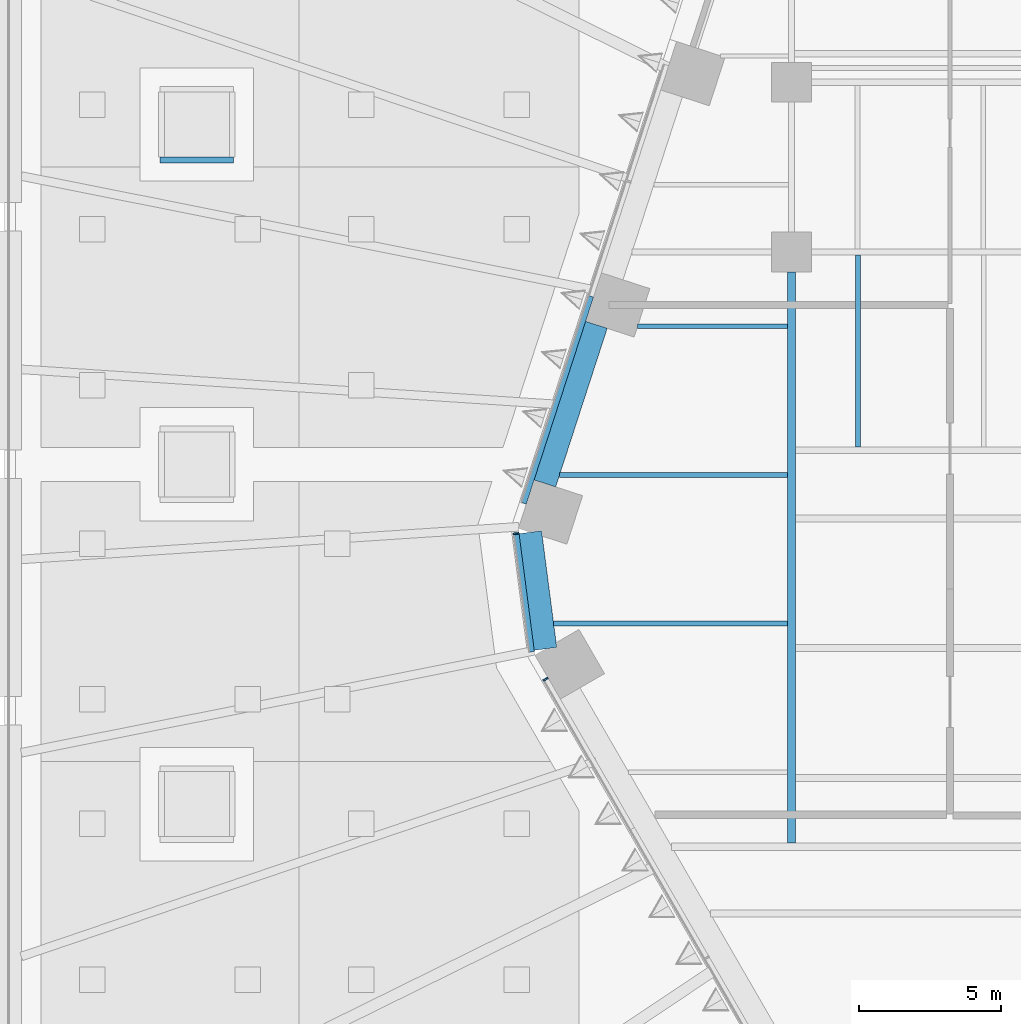
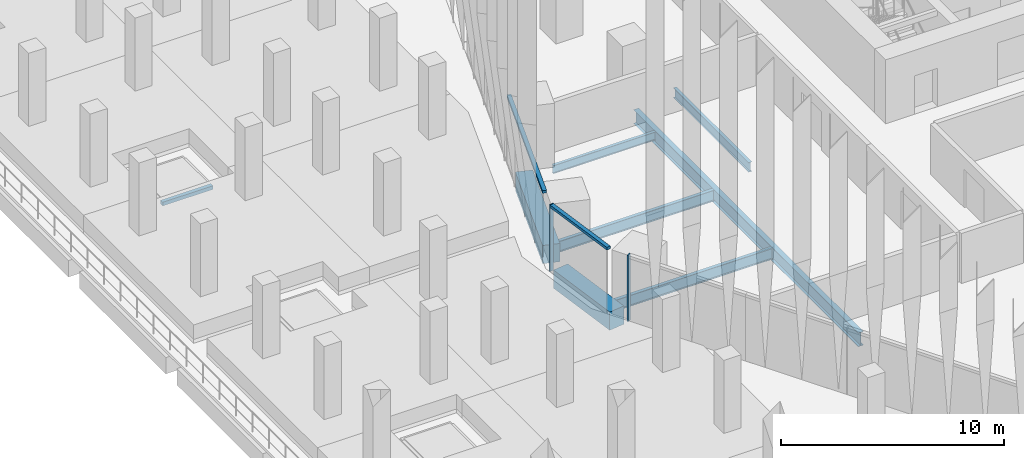
# One storey, part 7 of 51: 7 beams, 5 members, 3 elements without a shape of their own.
"""IFC4 building model written with IfcOpenShell, lengths in metres."""

from ifc_helpers import new_model, si_unit, direction, frame, origin, origin_2d, place, context, subcontext, project, spatial, rectangle, i_section, extrude, material, layer, layer_set, material_profile, profile_set, type_object, element, aggregate, save


model = new_model("IFC4")

# Units and contexts
model_context = context("Model", 3, precision=1e-05, world=origin(), true_north=direction((0.0, 1.0)))
body_context = subcontext(model_context, "Body", "Model", "MODEL_VIEW")
ifc_project = project(units=[si_unit("LENGTHUNIT", "METRE"), si_unit("AREAUNIT", "SQUARE_METRE"), si_unit("VOLUMEUNIT", "CUBIC_METRE"), si_unit("PLANEANGLEUNIT", "RADIAN"), si_unit("MASSUNIT", "GRAM", prefix="KILO")], contexts=[model_context])

# Site, building, storey
site_placement = place(None, origin())
site = spatial("IfcSite", under=ifc_project, at=site_placement, CompositionType="ELEMENT")
building_placement = place(site_placement, origin())
building = spatial("IfcBuilding", under=site, at=building_placement, Name="Isthmus Gate Tower", CompositionType="ELEMENT")
storey_placement = place(building_placement, frame((0.0, 0.0, 36.0)))
storey = spatial("IfcBuildingStorey", under=building, at=storey_placement, Name="L06", CompositionType="ELEMENT", Elevation=36.0)

# Curtain wall, member
ifc_material_1 = material(Name="Aluminium, pale champagne anodised", Category="aluminium")
ifc_layer = layer(ifc_material_1, 0.199951171875)
ifc_layer_set = layer_set([ifc_layer], Name="CW-1 UNITISED CURTAIN WALL 200 DEEP")
curtain_wall_type = type_object("IfcCurtainWallType", Name="CW-1 UNITISED CURTAIN WALL 200 DEEP", PredefinedType="NOTDEFINED", material=ifc_layer_set)
curtain_wall_1_placement = place(storey_placement, origin())
curtain_wall_1 = element("IfcCurtainWall", 1, at=curtain_wall_1_placement, inside=storey, type_object=curtain_wall_type, Name="CW-1 NW-SW L06", PredefinedType="NOTDEFINED")
ifc_material_2 = material(Name="Aluminium, pale champagne anodised", Category="aluminium")
ifc_material_profile_1 = material_profile(ifc_material_2, rectangle(XDim=0.06005859375, YDim=0.199951171875, at=origin_2d()), Name="60x200")
ifc_profile_set_1 = profile_set([ifc_material_profile_1], Name="Aluminium, pale champagne anodised")
member_type_1 = type_object("IfcMemberType", Name="CW-1 MULLION 60 X 200", PredefinedType="MULLION", material=ifc_profile_set_1)
member_1_placement = place(storey_placement, frame((-33.722900390625, -2.44482421875, 0.0), z_axis=(0.0, 0.0, 1.0), x_axis=(0.129164534, -0.991623175988, 0.0)))
member_1 = element("IfcMember", 2, at=member_1_placement, type_object=member_type_1, Name="CW-1 mullion", PredefinedType="MULLION", context=body_context, shape_type="SweptSolid", body=[
    extrude(rectangle(XDim=0.06005859375, YDim=0.199951171875, at=origin_2d()), origin(), (0.0, 0.0, 1.0), 3.64990234375),
])

curtain_wall_2_placement = place(storey_placement, origin())
curtain_wall_2 = element("IfcCurtainWall", 3, at=curtain_wall_2_placement, inside=storey, type_object=curtain_wall_type, Name="CW-1 SW L06", PredefinedType="NOTDEFINED")
member_2_placement = place(storey_placement, frame((-32.685302734375, -7.58740234375, 0.0), z_axis=(0.0, 0.0, 1.0), x_axis=(0.5, -0.866025403784, 0.0)))
member_2 = element("IfcMember", 4, at=member_2_placement, type_object=member_type_1, Name="CW-1 mullion", PredefinedType="MULLION", context=body_context, shape_type="SweptSolid", body=[
    extrude(rectangle(XDim=0.06005859375, YDim=0.199951171875, at=origin_2d()), origin(), (0.0, 0.0, 1.0), 3.64990234375),
])
aggregate(curtain_wall_2, [member_2])

curtain_wall_3_placement = place(storey_placement, origin())
curtain_wall_3 = element("IfcCurtainWall", 5, at=curtain_wall_3_placement, inside=storey, type_object=curtain_wall_type, Name="CW-1 NW L06", PredefinedType="NOTDEFINED")
ifc_material_3 = material(Name="Aluminium, pale champagne anodised", Category="aluminium")
ifc_material_profile_2 = material_profile(ifc_material_3, rectangle(XDim=0.199951171875, YDim=0.14990234375, at=origin_2d()), Name="200x150")
ifc_profile_set_2 = profile_set([ifc_material_profile_2], Name="Aluminium, pale champagne anodised")
member_type_2 = type_object("IfcMemberType", Name="CW-1 TRANSOM 200 X 150", PredefinedType="USERDEFINED", material=ifc_profile_set_2)
member_3_placement = place(storey_placement, frame((-31.0869140625, 5.93896484375, 3.574951171875), z_axis=(-0.30902720148, -0.951053199745, 0.0), x_axis=(0.951053199745, -0.30902720148, 0.0)))
member_3 = element("IfcMember", 6, at=member_3_placement, type_object=member_type_2, Name="CW-1 transom", ObjectType="TRANSOM", PredefinedType="USERDEFINED", context=body_context, shape_type="SweptSolid", body=[
    extrude(rectangle(XDim=0.199951171875, YDim=0.14990234375, at=origin_2d()), origin(), (0.0, 0.0, 1.0), 7.689453125),
])
aggregate(curtain_wall_3, [member_3])

# Member
member_4_placement = place(storey_placement, frame((-33.71923828125, -2.474609375, 3.574951171875), z_axis=(0.129206893318, -0.991617657527, 0.0), x_axis=(0.991617657527, 0.129206893318, 0.0)))
member_4 = element("IfcMember", 7, at=member_4_placement, type_object=member_type_2, Name="CW-1 transom", ObjectType="TRANSOM", PredefinedType="USERDEFINED", context=body_context, shape_type="SweptSolid", body=[
    extrude(rectangle(XDim=0.199951171875, YDim=0.14990234375, at=origin_2d()), origin(), (0.0, 0.0, 1.0), 4.181640625),
])

aggregate(curtain_wall_1, [member_1, member_4])

# Beams
ifc_material_4 = material(Name="Concrete f'c 70 MPa", Category="concrete")
ifc_material_profile_3 = material_profile(ifc_material_4, rectangle(XDim=0.800048828125, YDim=1.0, at=origin_2d()), Name="RC 800X1000")
ifc_profile_set_3 = profile_set([ifc_material_profile_3], Name="Concrete f'c 70 MPa")
beam_type_1 = type_object("IfcBeamType", Name="RC SPANDREL 800 X 1000", PredefinedType="SPANDREL", material=ifc_profile_set_3)
beam_1_placement = place(storey_placement, frame((-32.6884765625, -6.515380859375, -0.5), z_axis=(-0.129170777359, 0.991622362735, 0.0), x_axis=(-0.991622362735, -0.129170777359, 0.0)))
element("IfcBeam", 8, at=beam_1_placement, inside=storey, type_object=beam_type_1, Name="str-spandrel-L06-17", PredefinedType="SPANDREL", context=body_context, shape_type="SweptSolid", body=[
    extrude(rectangle(XDim=0.800048828125, YDim=1.0, at=origin_2d()), origin(), (0.0, 0.0, 1.0), 4.15234375),
])
beam_2_placement = place(storey_placement, frame((-32.70947265625, -0.672607421875, -0.5), z_axis=(0.309005457803, 0.951060264677, 0.0), x_axis=(-0.951060264677, 0.309005457803, 0.0)))
element("IfcBeam", 9, at=beam_2_placement, inside=storey, type_object=beam_type_1, Name="str-spandrel-L06-18", PredefinedType="SPANDREL", context=body_context, shape_type="SweptSolid", body=[
    extrude(rectangle(XDim=0.800048828125, YDim=1.0, at=origin_2d()), origin(), (0.0, 0.0, 1.0), 5.889404296875),
])

# Member
ifc_material_5 = material(Name="Concrete C30/37", Category="concrete")
ifc_material_profile_4 = material_profile(ifc_material_5, rectangle(XDim=0.199951171875, YDim=0.199951171875, at=origin_2d()), Name="200x200")
ifc_profile_set_4 = profile_set([ifc_material_profile_4], Name="Concrete C30/37")
member_type_3 = type_object("IfcMemberType", Name="SKYLIGHT KERB 200 X 200", PredefinedType="USERDEFINED", material=ifc_profile_set_4)
member_5_placement = place(storey_placement, frame((-46.300048828125, 10.75, 0.10009765625), z_axis=(1.0, 0.0, 0.0), x_axis=(0.0, 1.0, 0.0)))
element("IfcMember", 10, at=member_5_placement, inside=storey, type_object=member_type_3, Name="Skylight kerb", ObjectType="KERB", PredefinedType="USERDEFINED", context=body_context, shape_type="SweptSolid", body=[
    extrude(rectangle(XDim=0.199951171875, YDim=0.199951171875, at=origin_2d()), origin(), (0.0, 0.0, 1.0), 2.60009765625),
])

# Beams
ifc_material_6 = material(Name="Structural steel ASTM A992 Gr 50", Category="steel")
ifc_material_profile_5 = material_profile(ifc_material_6, i_section(OverallWidth=0.15234375, OverallDepth=0.45068359375, WebThickness=0.0078125, FlangeThickness=0.010986328125, at=origin_2d()), Name="W18X35")
ifc_profile_set_5 = profile_set([ifc_material_profile_5], Name="Structural steel ASTM A992 Gr 50")
beam_type_2 = type_object("IfcBeamType", Name="STEEL FLOOR BEAM W18X35", PredefinedType="JOIST", material=ifc_profile_set_5)
beam_3_placement = place(storey_placement, frame((-29.434814453125, 4.875, -0.37548828125), z_axis=(1.0, 0.0, 0.0), x_axis=(0.0, 1.0, 0.0)))
element("IfcBeam", 11, at=beam_3_placement, inside=storey, type_object=beam_type_2, Name="str-beam-L06-00-03", PredefinedType="JOIST", context=body_context, shape_type="SweptSolid", body=[
    extrude(i_section(OverallWidth=0.15234375, OverallDepth=0.45068359375, WebThickness=0.0078125, FlangeThickness=0.010986328125, at=origin_2d()), origin(), (0.0, 0.0, 1.0), 5.301513671875),
])
ifc_material_7 = material(Name="Structural steel ASTM A992 Gr 50", Category="steel")
ifc_material_profile_6 = material_profile(ifc_material_7, i_section(OverallWidth=0.1650390625, OverallDepth=0.52392578125, WebThickness=0.009521484375, FlangeThickness=0.010986328125, at=origin_2d()), Name="W21X44")
ifc_profile_set_6 = profile_set([ifc_material_profile_6], Name="Structural steel ASTM A992 Gr 50")
beam_type_3 = type_object("IfcBeamType", Name="STEEL FLOOR BEAM W21X44", PredefinedType="JOIST", material=ifc_profile_set_6)
beam_4_placement = place(storey_placement, frame((-21.64990234375, 0.6142578125, -0.411865234375), z_axis=(0.0, 1.0, 0.0), x_axis=(-1.0, 0.0, 0.0)))
element("IfcBeam", 12, at=beam_4_placement, inside=storey, type_object=beam_type_3, Name="str-beam-L06-02-00", PredefinedType="JOIST", context=body_context, shape_type="SweptSolid", body=[
    extrude(i_section(OverallWidth=0.1650390625, OverallDepth=0.52392578125, WebThickness=0.009521484375, FlangeThickness=0.010986328125, at=origin_2d()), origin(), (0.0, 0.0, 1.0), 6.771484375),
])
ifc_material_8 = material(Name="Structural steel ASTM A992 Gr 50", Category="steel")
ifc_material_profile_7 = material_profile(ifc_material_8, i_section(OverallWidth=0.177734375, OverallDepth=0.60009765625, WebThickness=0.009521484375, FlangeThickness=0.0126953125, at=origin_2d()), Name="W24X55")
ifc_profile_set_7 = profile_set([ifc_material_profile_7], Name="Structural steel ASTM A992 Gr 50")
beam_type_4 = type_object("IfcBeamType", Name="STEEL FLOOR BEAM W24X55", PredefinedType="JOIST", material=ifc_profile_set_7)
beam_5_placement = place(storey_placement, frame((-32.401123046875, -5.625, -0.449951171875), z_axis=(1.0, 0.0, 0.0), x_axis=(0.0, 1.0, 0.0)))
element("IfcBeam", 13, at=beam_5_placement, inside=storey, type_object=beam_type_4, Name="str-beam-L06-00-01", PredefinedType="JOIST", context=body_context, shape_type="SweptSolid", body=[
    extrude(i_section(OverallWidth=0.177734375, OverallDepth=0.60009765625, WebThickness=0.009521484375, FlangeThickness=0.0126953125, at=origin_2d()), origin(), (0.0, 0.0, 1.0), 8.267822265625),
])
beam_6_placement = place(storey_placement, frame((-32.192138671875, -0.375, -0.449951171875), z_axis=(1.0, 0.0, 0.0), x_axis=(0.0, 1.0, 0.0)))
element("IfcBeam", 14, at=beam_6_placement, inside=storey, type_object=beam_type_4, Name="str-beam-L06-00-02", PredefinedType="JOIST", context=body_context, shape_type="SweptSolid", body=[
    extrude(i_section(OverallWidth=0.177734375, OverallDepth=0.60009765625, WebThickness=0.009521484375, FlangeThickness=0.0126953125, at=origin_2d()), origin(), (0.0, 0.0, 1.0), 8.058837890625),
])
ifc_material_9 = material(Name="Structural steel ASTM A992 Gr 50", Category="steel")
ifc_material_profile_8 = material_profile(ifc_material_9, i_section(OverallWidth=0.2666015625, OverallDepth=0.7587890625, WebThickness=0.014404296875, FlangeThickness=0.01904296875, at=origin_2d()), Name="W30X108")
ifc_profile_set_8 = profile_set([ifc_material_profile_8], Name="Structural steel ASTM A992 Gr 50")
beam_type_5 = type_object("IfcBeamType", Name="STEEL GIRDER W30X108", PredefinedType="BEAM", material=ifc_profile_set_8)
beam_7_placement = place(storey_placement, frame((-24.0, -13.36669921875, -0.529296875), z_axis=(0.0, 1.0, 0.0), x_axis=(-1.0, 0.0, 0.0)))
element("IfcBeam", 15, at=beam_7_placement, inside=storey, type_object=beam_type_5, Name="str-girder-L06-20", PredefinedType="BEAM", context=body_context, shape_type="SweptSolid", body=[
    extrude(i_section(OverallWidth=0.2666015625, OverallDepth=0.7587890625, WebThickness=0.014404296875, FlangeThickness=0.01904296875, at=origin_2d()), origin(), (0.0, 0.0, 1.0), 20.166748046875),
])

save(model, "model.ifc")
